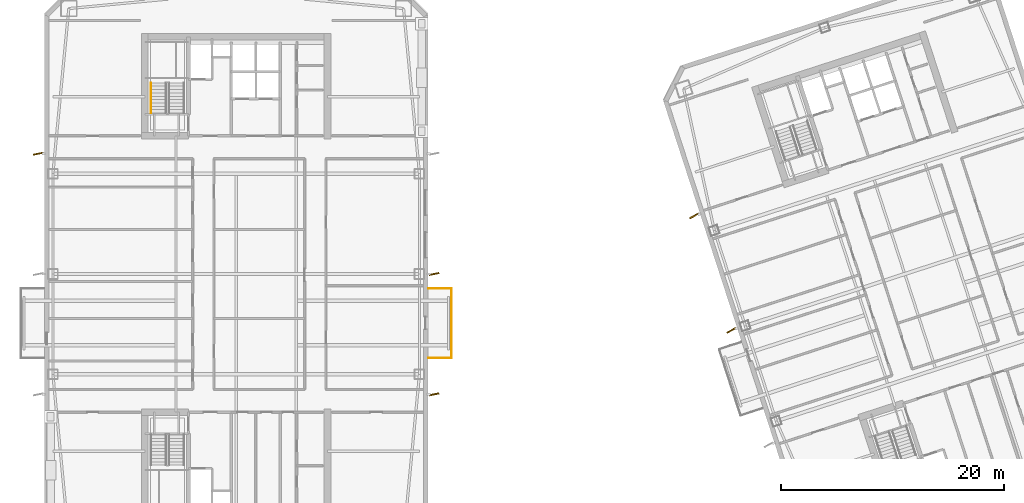
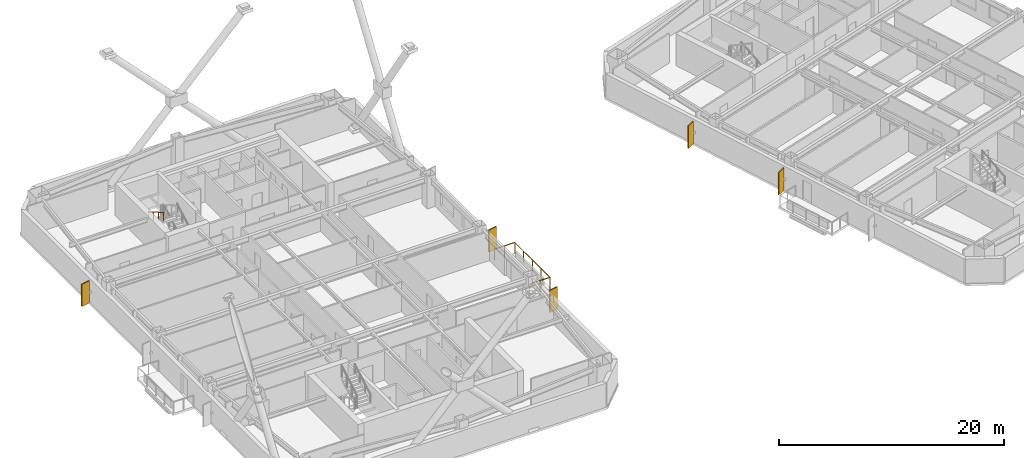
# One storey, part 15 of 18: 5 shading devices, 2 railings.
"""IFC4 building model written with IfcOpenShell, lengths in metres."""

from ifc_helpers import new_model, si_unit, direction, frame, origin, origin_2d, place, context, subcontext, project, spatial, rectangle, circle, extrude, material, layer, layer_set, type_object, element, save


model = new_model("IFC4")

# Units and contexts
model_context = context("Model", 3, precision=1e-05, world=origin(), true_north=direction((0.0, 1.0)))
body_context = subcontext(model_context, "Body", "Model", "MODEL_VIEW")
ifc_project = project(units=[si_unit("LENGTHUNIT", "METRE"), si_unit("AREAUNIT", "SQUARE_METRE"), si_unit("VOLUMEUNIT", "CUBIC_METRE"), si_unit("PLANEANGLEUNIT", "RADIAN"), si_unit("MASSUNIT", "GRAM", prefix="KILO")], contexts=[model_context])

# Site, building, storey
site_placement = place(None, origin())
site = spatial("IfcSite", under=ifc_project, at=site_placement, CompositionType="ELEMENT")
building_placement = place(site_placement, origin())
building = spatial("IfcBuilding", under=site, at=building_placement, Name="Qiaolan Cultural Towers", CompositionType="ELEMENT")
storey_placement = place(building_placement, frame((0.0, 0.0, 173.64990234375)))
storey = spatial("IfcBuildingStorey", under=building, at=storey_placement, Name="L46", CompositionType="ELEMENT", Elevation=173.64990234375)

# Railings
ifc_material_1 = material(Name="Laminated SentryGlas & Stainless Steel S31608 Balustrade", Category="steel")
railing_type_1 = type_object("IfcRailingType", Name="GRD-TERR-1200", PredefinedType="BALUSTRADE", material=ifc_material_1)
railing_1_placement = place(storey_placement, frame((47.25, 26.47998046875, 0.0)))
element("IfcRailing", 1, at=railing_1_placement, inside=storey, type_object=railing_type_1, Name="L46 T1 Tree Balcony Guardrail E", PredefinedType="BALUSTRADE", context=body_context, shape_type="SweptSolid", body=[
    extrude(circle(Radius=0.02392578125, at=origin_2d()), frame((0.0, 0.0, 1.17578125), z_axis=(1.0, 0.0, 0.0), x_axis=(0.0, 1.0, 0.0)), (0.0, 0.0, 1.0), 2.070068359375),
    extrude(circle(Radius=0.02392578125, at=origin_2d()), frame((2.070068359375, 0.0, 1.17578125), z_axis=(0.0, 1.0, 0.0), x_axis=(-1.0, 0.0, 0.0)), (0.0, 0.0, 1.0), 6.239990234375),
    extrude(circle(Radius=0.02392578125, at=origin_2d()), frame((2.070068359375, 6.239990234375, 1.17578125), z_axis=(-1.0, 0.0, 0.0), x_axis=(0.0, -1.0, 0.0)), (0.0, 0.0, 1.0), 2.070068359375),
    extrude(circle(Radius=0.02099609375, at=origin_2d()), origin(), (0.0, 0.0, 1.0), 1.15185546875),
    extrude(circle(Radius=0.02099609375, at=origin_2d()), frame((1.03515625, 0.0, 0.0)), (0.0, 0.0, 1.0), 1.15185546875),
    extrude(circle(Radius=0.02099609375, at=origin_2d()), frame((2.070068359375, 0.0, 0.0)), (0.0, 0.0, 1.0), 1.15185546875),
    extrude(circle(Radius=0.02099609375, at=origin_2d()), frame((2.070068359375, 1.56005859375, 0.0)), (0.0, 0.0, 1.0), 1.15185546875),
    extrude(circle(Radius=0.02099609375, at=origin_2d()), frame((2.070068359375, 3.1201171875, 0.0)), (0.0, 0.0, 1.0), 1.15185546875),
    extrude(circle(Radius=0.02099609375, at=origin_2d()), frame((2.070068359375, 4.679931640625, 0.0)), (0.0, 0.0, 1.0), 1.15185546875),
    extrude(circle(Radius=0.02099609375, at=origin_2d()), frame((2.070068359375, 6.239990234375, 0.0)), (0.0, 0.0, 1.0), 1.15185546875),
    extrude(circle(Radius=0.02099609375, at=origin_2d()), frame((1.03515625, 6.239990234375, 0.0)), (0.0, 0.0, 1.0), 1.15185546875),
    extrude(circle(Radius=0.02099609375, at=origin_2d()), frame((0.0, 6.239990234375, 0.0)), (0.0, 0.0, 1.0), 1.15185546875),
])
ifc_material_2 = material(Name="Stainless Steel S30408 Tubular Handrail", Category="steel")
railing_type_2 = type_object("IfcRailingType", Name="RL-STAIR-HR", PredefinedType="HANDRAIL", material=ifc_material_2)
railing_2_placement = place(storey_placement, frame((22.35009765625, 51.14990234375, 1.897705078125)))
element("IfcRailing", 2, at=railing_2_placement, inside=storey, type_object=railing_type_2, Name="L46 ST-W2 stair handrail 2", PredefinedType="HANDRAIL", context=body_context, shape_type="SweptSolid", body=[
    extrude(circle(Radius=0.02392578125, at=origin_2d()), frame((0.0, 0.0, 0.8759765625), z_axis=(0.0, -0.866903762492, 0.498475542607), x_axis=(1.0, 0.0, 0.0)), (0.0, 0.0, 1.0), 3.114501953125),
    extrude(circle(Radius=0.02099609375, at=origin_2d()), origin(), (0.0, 0.0, 1.0), 0.851806640625),
    extrude(circle(Radius=0.02099609375, at=origin_2d()), frame((0.0, -0.89990234375, 0.517578125)), (0.0, 0.0, 1.0), 0.851806640625),
    extrude(circle(Radius=0.02099609375, at=origin_2d()), frame((0.0, -1.800048828125, 1.034912109375)), (0.0, 0.0, 1.0), 0.851806640625),
    extrude(circle(Radius=0.02099609375, at=origin_2d()), frame((0.0, -2.699951171875, 1.552490234375)), (0.0, 0.0, 1.0), 0.851806640625),
])

# Shading devices
ifc_material_3 = material(Name="Pierced Warm Terracotta Acoustic Fin", Category="masonry")
ifc_layer = layer(ifc_material_3, 0.1201171875)
ifc_layer_set = layer_set([ifc_layer], Name="Pierced Warm Terracotta Acoustic Fin")
shading_device_type = type_object("IfcShadingDeviceType", Name="SHD-FIN-PIERCED", PredefinedType="USERDEFINED", material=ifc_layer_set)
for number, where, z_axis, x_axis, name in (
    (3, (12.239990234375, 44.800048828125, 0.10009765625), (0.0, 0.0, 1.0), (0.979957166978, 0.19920831029, 0.0), "L46 T1 Expressive Precast Vertical Fin W3"),
    (4, (47.760009765625, 23.199951171875, 0.10009765625), (0.0, 0.0, 1.0), (0.979957166978, 0.19920831029, 0.0), "L46 T1 Expressive Precast Vertical Fin E1"),
    (5, (47.760009765625, 34.0, 0.10009765625), (0.0, 0.0, 1.0), (0.979957166978, 0.19920831029, 0.0), "L46 T1 Expressive Precast Vertical Fin E2"),
    (6, (74.440673828125, 28.944580078125, 0.10009765625), (0.0, 0.0, 1.0), (0.870435896044, 0.492281779958, 0.0), "L46 T2 Expressive Precast Vertical Fin W2"),
    (7, (71.103271484375, 39.2158203125, 0.10009765625), (0.0, 0.0, 1.0), (0.870435896044, 0.492281779958, 0.0), "L46 T2 Expressive Precast Vertical Fin W3"),
):
    element("IfcShadingDevice", number, at=place(storey_placement, frame(where, z_axis=z_axis, x_axis=x_axis)), inside=storey, type_object=shading_device_type, Name=name, ObjectType="FIN", PredefinedType="USERDEFINED", context=body_context, shape_type="SweptSolid", body=[
        extrude(rectangle(XDim=0.89990234375, YDim=0.1201171875, at=origin_2d()), origin(), (0.0, 0.0, 1.0), 2.409912109375),
    ])

save(model, "model.ifc")
